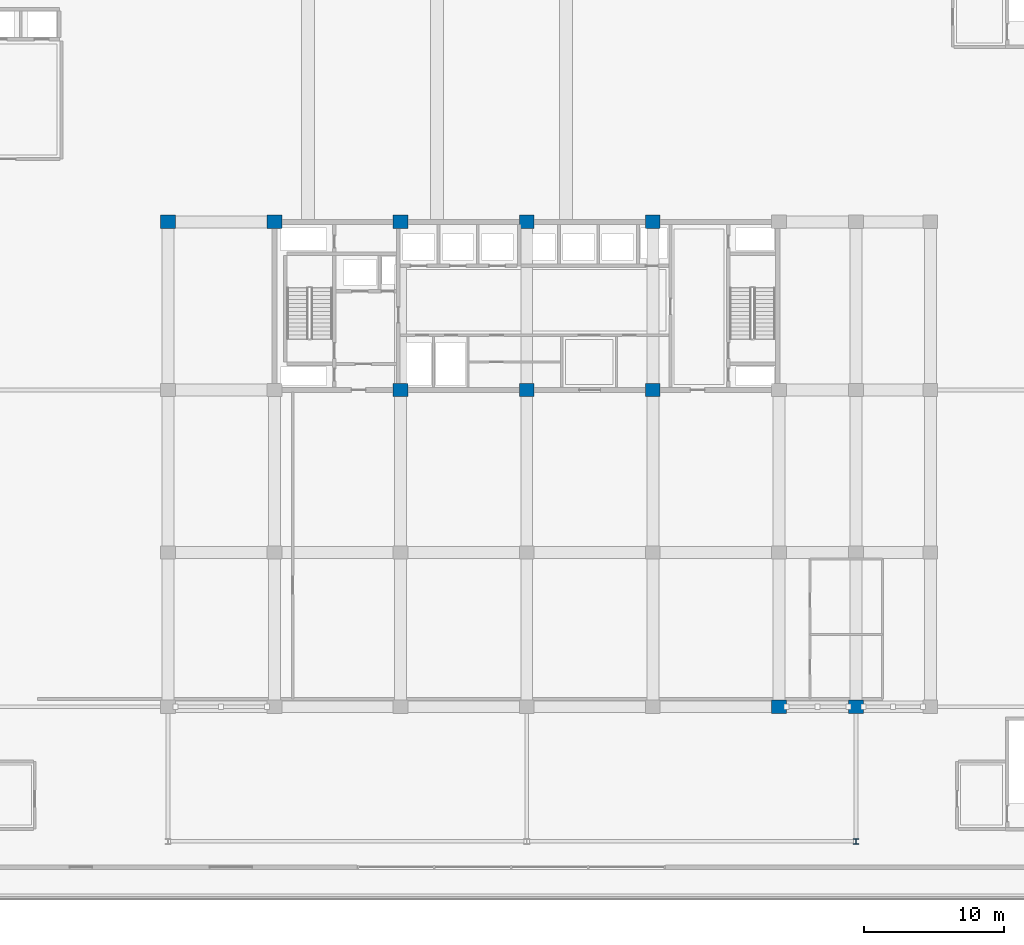
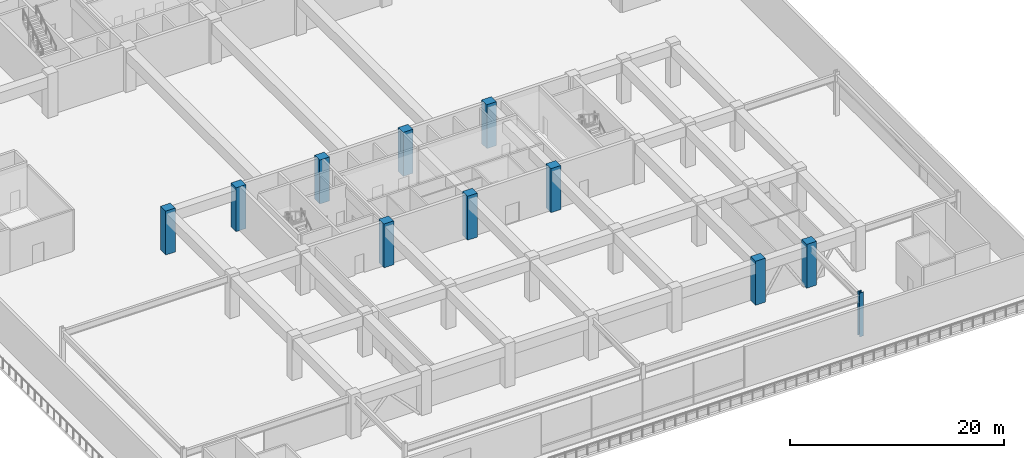
# One storey, part 2 of 38: 11 columns.
"""IFC4 building model written with IfcOpenShell, lengths in metres."""

from ifc_helpers import new_model, si_unit, direction, frame, origin, origin_2d, place, context, subcontext, project, spatial, rectangle, i_section, extrude, material, material_profile, profile_set, type_object, element, save


model = new_model("IFC4")

# Units and contexts
model_context = context("Model", 3, precision=1e-05, world=origin(), true_north=direction((0.0, 1.0)))
body_context = subcontext(model_context, "Body", "Model", "MODEL_VIEW")
ifc_project = project(units=[si_unit("LENGTHUNIT", "METRE"), si_unit("AREAUNIT", "SQUARE_METRE"), si_unit("VOLUMEUNIT", "CUBIC_METRE"), si_unit("PLANEANGLEUNIT", "RADIAN"), si_unit("MASSUNIT", "GRAM", prefix="KILO")], contexts=[model_context])

# Site, building, storey
site_placement = place(None, origin())
site = spatial("IfcSite", under=ifc_project, at=site_placement, CompositionType="ELEMENT")
building_placement = place(site_placement, origin())
building = spatial("IfcBuilding", under=site, at=building_placement, Name="Korimba Cascade Residences", CompositionType="ELEMENT")
storey_placement = place(building_placement, frame((0.0, 0.0, 19.0)))
storey = spatial("IfcBuildingStorey", under=building, at=storey_placement, Name="L04", CompositionType="ELEMENT", Elevation=19.0)

# Columns
ifc_material_1 = material(Name="Concrete C80/95", Category="concrete")
ifc_material_profile_1 = material_profile(ifc_material_1, rectangle(XDim=1.050048828125, YDim=0.949951171875, at=origin_2d()), Name="Concrete C80/95")
ifc_profile_set_1 = profile_set([ifc_material_profile_1], Name="Concrete C80/95")
column_type_1 = type_object("IfcColumnType", Name="COL-RC-1050", PredefinedType="COLUMN", material=ifc_profile_set_1)
for number, where, z_axis, x_axis, name in (
    (1, (74.5, 30.39990234375, 0.0), (0.0, 0.0, 1.0), (1.0, 0.0, 0.0), "L04 Tower 2 Column 1.4"),
    (2, (82.10009765625, 30.39990234375, 0.0), (0.0, 0.0, 1.0), (1.0, 0.0, 0.0), "L04 Tower 2 Column 2.4"),
    (3, (91.10009765625, 18.39990234375, 0.0), (0.0, 0.0, 1.0), (1.0, 0.0, 0.0), "L04 Tower 2 Column 3.3"),
    (4, (91.10009765625, 30.39990234375, 0.0), (0.0, 0.0, 1.0), (1.0, 0.0, 0.0), "L04 Tower 2 Column 3.4"),
    (5, (100.10009765625, 18.39990234375, 0.0), (0.0, 0.0, 1.0), (1.0, 0.0, 0.0), "L04 Tower 2 Column 4.3"),
    (6, (100.10009765625, 30.39990234375, 0.0), (0.0, 0.0, 1.0), (1.0, 0.0, 0.0), "L04 Tower 2 Column 4.4"),
    (7, (109.10009765625, 18.39990234375, 0.0), (0.0, 0.0, 1.0), (1.0, 0.0, 0.0), "L04 Tower 2 Column 5.3"),
    (8, (109.10009765625, 30.39990234375, 0.0), (0.0, 0.0, 1.0), (1.0, 0.0, 0.0), "L04 Tower 2 Column 5.4"),
    (9, (118.10009765625, -4.199951171875, 0.0), (0.0, 0.0, 1.0), (1.0, 0.0, 0.0), "L04 Tower 2 Column 6.1"),
    (10, (123.60009765625, -4.199951171875, 0.0), (0.0, 0.0, 1.0), (1.0, 0.0, 0.0), "L04 Tower 2 Column 7.1"),
):
    element("IfcColumn", number, at=place(storey_placement, frame(where, z_axis=z_axis, x_axis=x_axis)), inside=storey, type_object=column_type_1, Name=name, PredefinedType="COLUMN", context=body_context, shape_type="SweptSolid", body=[
        extrude(rectangle(XDim=1.050048828125, YDim=0.949951171875, at=origin_2d()), origin(), (0.0, 0.0, 1.0), 5.0),
    ])
ifc_material_2 = material(Name="Steel S355", Category="steel")
ifc_material_profile_2 = material_profile(ifc_material_2, i_section(OverallWidth=0.39892578125, OverallDepth=0.3935546875, WebThickness=0.022705078125, FlangeThickness=0.03662109375, FilletRadius=0.01513671875, at=origin_2d()), Name="Steel S355")
ifc_profile_set_2 = profile_set([ifc_material_profile_2], Name="Steel S355")
column_type_2 = type_object("IfcColumnType", Name="COL-STL-UC287", PredefinedType="COLUMN", material=ifc_profile_set_2)
column_placement = place(storey_placement, frame((123.60009765625, -13.800048828125, 0.0), z_axis=(0.0, 0.0, 1.0), x_axis=(1.0, 0.0, 0.0)))
element("IfcColumn", 11, at=column_placement, inside=storey, type_object=column_type_2, Name="L04 Podium Column PCS3", PredefinedType="COLUMN", context=body_context, shape_type="SweptSolid", body=[
    extrude(i_section(OverallWidth=0.39892578125, OverallDepth=0.3935546875, WebThickness=0.022705078125, FlangeThickness=0.03662109375, FilletRadius=0.01513671875, at=origin_2d()), origin(), (0.0, 0.0, 1.0), 5.0),
])

save(model, "model.ifc")
